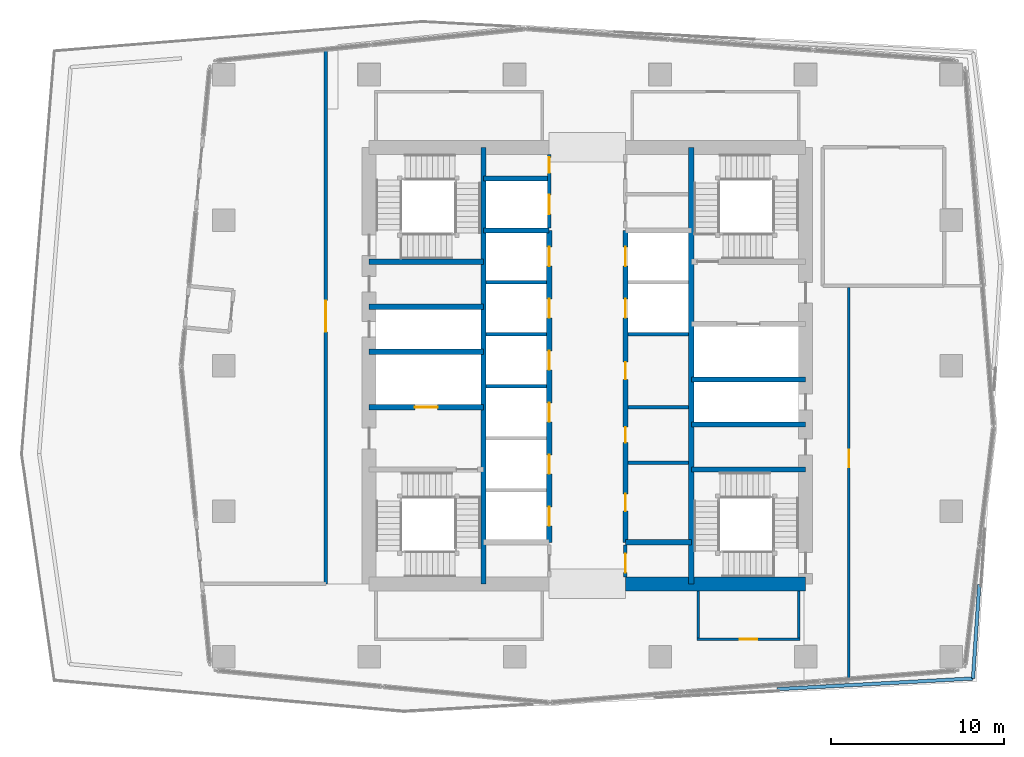
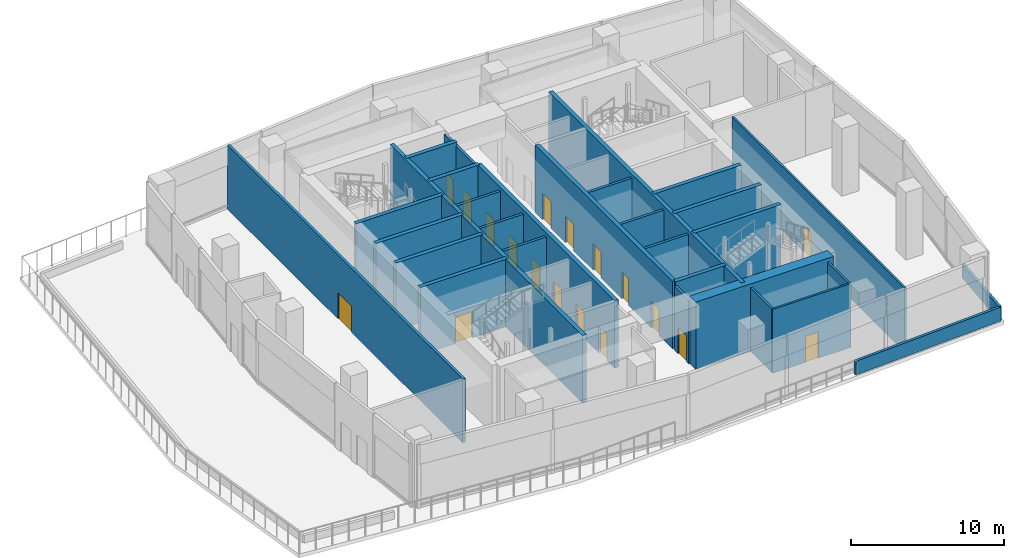
# One storey, part 13 of 22: 30 walls, 18 doors, 18 openings.
"""IFC4 building model written with IfcOpenShell, lengths in metres."""

from ifc_helpers import new_model, si_unit, direction, frame, frame_2d, origin, place, context, subcontext, project, spatial, rectangle, extrude, material, layer, layer_set, type_object, element, fill, save


model = new_model("IFC4")

# Units and contexts
model_context = context("Model", 3, precision=1e-05, world=origin(), true_north=direction((0.0, 1.0)))
body_context = subcontext(model_context, "Body", "Model", "MODEL_VIEW")
ifc_project = project(units=[si_unit("LENGTHUNIT", "METRE"), si_unit("AREAUNIT", "SQUARE_METRE"), si_unit("VOLUMEUNIT", "CUBIC_METRE"), si_unit("PLANEANGLEUNIT", "RADIAN"), si_unit("MASSUNIT", "GRAM", prefix="KILO")], contexts=[model_context])

# Site, building, storey
site_placement = place(None, origin())
site = spatial("IfcSite", under=ifc_project, at=site_placement, CompositionType="ELEMENT")
building_placement = place(site_placement, origin())
building = spatial("IfcBuilding", under=site, at=building_placement, Name="Rekha Terrace Tower", CompositionType="ELEMENT")
storey_placement = place(building_placement, frame((0.0, 0.0, 291.35009765625)))
storey = spatial("IfcBuildingStorey", under=building, at=storey_placement, Name="L74", CompositionType="ELEMENT", Elevation=291.35009765625)

# Walls
ifc_material_1 = material(Name="Concrete M60", Category="concrete")
ifc_layer_1 = layer(ifc_material_1, 0.300048828125)
ifc_layer_set_1 = layer_set([ifc_layer_1], Name="Concrete M60")
wall_type_1 = type_object("IfcWallType", Name="CI5 300 core internal shear wall", PredefinedType="SHEAR", material=ifc_layer_set_1)
for number, where, z_axis, x_axis, name in (
    (1, (31.800048828125, 21.0, 0.0), (0.0, 0.0, 1.0), (0.0, 1.0, 0.0), "Core wall X318 L74"),
    (2, (43.800048828125, 21.0, 0.0), (0.0, 0.0, 1.0), (0.0, 1.0, 0.0), "Core wall X438 L74"),
):
    element("IfcWall", number, at=place(storey_placement, frame(where, z_axis=z_axis, x_axis=x_axis)), inside=storey, type_object=wall_type_1, Name=name, PredefinedType="SHEAR", context=body_context, shape_type="SweptSolid", body=[
        extrude(rectangle(XDim=25.199951171875, YDim=0.300048828125, at=frame_2d((12.60009765625, 0.0))), origin(), (0.0, 0.0, 1.0), 5.39990234375),
    ])

# Wall, openings, doors
wall_1_placement = place(storey_placement, frame((35.60009765625, 23.39990234375, 0.0), z_axis=(0.0, 0.0, 1.0), x_axis=(0.0, 1.0, 0.0)))
wall_1 = element("IfcWall", 3, at=wall_1_placement, inside=storey, type_object=wall_type_1, Name="Core wall X356 L74", PredefinedType="SHEAR", context=body_context, shape_type="SweptSolid", body=[
    extrude(rectangle(XDim=18.0, YDim=0.300048828125, at=frame_2d((9.0, 0.0))), origin(), (0.0, 0.0, 1.0), 5.39990234375),
])
opening_1_placement = place(wall_1_placement, frame((0.949951171875, 0.0, 0.0)))
opening_1 = element("IfcOpeningElement", 4, at=opening_1_placement, cuts=wall_1, Name="Opening LD1", PredefinedType="OPENING", context=body_context, shape_type="SweptSolid", body=[
    extrude(rectangle(XDim=1.10009765625, YDim=2.10009765625, at=frame_2d((0.550048828125, 1.050048828125))), frame((0.0, 0.159912109375, 0.0), z_axis=(0.0, -1.0, 0.0), x_axis=(1.0, 0.0, 0.0)), (0.0, 0.0, 1.0), 0.320068359375),
])
opening_2_placement = place(wall_1_placement, frame((3.949951171875, 0.0, 0.0)))
opening_2 = element("IfcOpeningElement", 5, at=opening_2_placement, cuts=wall_1, Name="Opening LD1", PredefinedType="OPENING", context=body_context, shape_type="SweptSolid", body=[
    extrude(rectangle(XDim=1.10009765625, YDim=2.10009765625, at=frame_2d((0.550048828125, 1.050048828125))), frame((0.0, 0.159912109375, 0.0), z_axis=(0.0, -1.0, 0.0), x_axis=(1.0, 0.0, 0.0)), (0.0, 0.0, 1.0), 0.320068359375),
])
opening_3_placement = place(wall_1_placement, frame((6.949951171875, 0.0, 0.0)))
opening_3 = element("IfcOpeningElement", 6, at=opening_3_placement, cuts=wall_1, Name="Opening LD1", PredefinedType="OPENING", context=body_context, shape_type="SweptSolid", body=[
    extrude(rectangle(XDim=1.10009765625, YDim=2.10009765625, at=frame_2d((0.550048828125, 1.050048828125))), frame((0.0, 0.159912109375, 0.0), z_axis=(0.0, -1.0, 0.0), x_axis=(1.0, 0.0, 0.0)), (0.0, 0.0, 1.0), 0.320068359375),
])
opening_4_placement = place(wall_1_placement, frame((9.949951171875, 0.0, 0.0)))
opening_4 = element("IfcOpeningElement", 7, at=opening_4_placement, cuts=wall_1, Name="Opening LD1", PredefinedType="OPENING", context=body_context, shape_type="SweptSolid", body=[
    extrude(rectangle(XDim=1.10009765625, YDim=2.10009765625, at=frame_2d((0.550048828125, 1.050048828125))), frame((0.0, 0.159912109375, 0.0), z_axis=(0.0, -1.0, 0.0), x_axis=(1.0, 0.0, 0.0)), (0.0, 0.0, 1.0), 0.320068359375),
])
opening_5_placement = place(wall_1_placement, frame((12.949951171875, 0.0, 0.0)))
opening_5 = element("IfcOpeningElement", 8, at=opening_5_placement, cuts=wall_1, Name="Opening LD1", PredefinedType="OPENING", context=body_context, shape_type="SweptSolid", body=[
    extrude(rectangle(XDim=1.10009765625, YDim=2.10009765625, at=frame_2d((0.550048828125, 1.050048828125))), frame((0.0, 0.159912109375, 0.0), z_axis=(0.0, -1.0, 0.0), x_axis=(1.0, 0.0, 0.0)), (0.0, 0.0, 1.0), 0.320068359375),
])
opening_6_placement = place(wall_1_placement, frame((15.949951171875, 0.0, 0.0)))
opening_6 = element("IfcOpeningElement", 9, at=opening_6_placement, cuts=wall_1, Name="Opening LD1", PredefinedType="OPENING", context=body_context, shape_type="SweptSolid", body=[
    extrude(rectangle(XDim=1.10009765625, YDim=2.10009765625, at=frame_2d((0.550048828125, 1.050048828125))), frame((0.0, 0.159912109375, 0.0), z_axis=(0.0, -1.0, 0.0), x_axis=(1.0, 0.0, 0.0)), (0.0, 0.0, 1.0), 0.320068359375),
])
ifc_material_2 = material(Name="Stainless steel sliding landing door", Category="steel")
door_type_1 = type_object("IfcDoorType", Name="LD1 1100x2100 lift landing door", OperationType="SLIDING_TO_LEFT", PredefinedType="USERDEFINED", material=ifc_material_2)
door_1_placement = place(opening_1_placement, origin())
door_1 = element("IfcDoor", 10, at=door_1_placement, inside=storey, type_object=door_type_1, Name="Lift D1 landing door L74", ObjectType="LIFT LANDING DOOR", OperationType="SLIDING_TO_LEFT", OverallHeight=2.10009765625, OverallWidth=1.10009765625, PredefinedType="USERDEFINED", context=body_context, shape_type="SweptSolid", body=[
    extrude(rectangle(XDim=1.10009765625, YDim=2.10009765625, at=frame_2d((0.550048828125, 1.050048828125))), frame((0.0, 0.02490234375, 0.0), z_axis=(0.0, -1.0, 0.0), x_axis=(1.0, 0.0, 0.0)), (0.0, 0.0, 1.0), 0.050048828125),
])
fill(opening_1, door_1)
door_2_placement = place(opening_2_placement, origin())
door_2 = element("IfcDoor", 11, at=door_2_placement, inside=storey, type_object=door_type_1, Name="Lift D2 landing door L74", ObjectType="LIFT LANDING DOOR", OperationType="SLIDING_TO_LEFT", OverallHeight=2.10009765625, OverallWidth=1.10009765625, PredefinedType="USERDEFINED", context=body_context, shape_type="SweptSolid", body=[
    extrude(rectangle(XDim=1.10009765625, YDim=2.10009765625, at=frame_2d((0.550048828125, 1.050048828125))), frame((0.0, 0.02490234375, 0.0), z_axis=(0.0, -1.0, 0.0), x_axis=(1.0, 0.0, 0.0)), (0.0, 0.0, 1.0), 0.050048828125),
])
fill(opening_2, door_2)
door_3_placement = place(opening_3_placement, origin())
door_3 = element("IfcDoor", 12, at=door_3_placement, inside=storey, type_object=door_type_1, Name="Lift D3 landing door L74", ObjectType="LIFT LANDING DOOR", OperationType="SLIDING_TO_LEFT", OverallHeight=2.10009765625, OverallWidth=1.10009765625, PredefinedType="USERDEFINED", context=body_context, shape_type="SweptSolid", body=[
    extrude(rectangle(XDim=1.10009765625, YDim=2.10009765625, at=frame_2d((0.550048828125, 1.050048828125))), frame((0.0, 0.02490234375, 0.0), z_axis=(0.0, -1.0, 0.0), x_axis=(1.0, 0.0, 0.0)), (0.0, 0.0, 1.0), 0.050048828125),
])
fill(opening_3, door_3)
door_4_placement = place(opening_4_placement, origin())
door_4 = element("IfcDoor", 13, at=door_4_placement, inside=storey, type_object=door_type_1, Name="Lift D4 landing door L74", ObjectType="LIFT LANDING DOOR", OperationType="SLIDING_TO_LEFT", OverallHeight=2.10009765625, OverallWidth=1.10009765625, PredefinedType="USERDEFINED", context=body_context, shape_type="SweptSolid", body=[
    extrude(rectangle(XDim=1.10009765625, YDim=2.10009765625, at=frame_2d((0.550048828125, 1.050048828125))), frame((0.0, 0.02490234375, 0.0), z_axis=(0.0, -1.0, 0.0), x_axis=(1.0, 0.0, 0.0)), (0.0, 0.0, 1.0), 0.050048828125),
])
fill(opening_4, door_4)
door_5_placement = place(opening_5_placement, origin())
door_5 = element("IfcDoor", 14, at=door_5_placement, inside=storey, type_object=door_type_1, Name="Lift D5 landing door L74", ObjectType="LIFT LANDING DOOR", OperationType="SLIDING_TO_LEFT", OverallHeight=2.10009765625, OverallWidth=1.10009765625, PredefinedType="USERDEFINED", context=body_context, shape_type="SweptSolid", body=[
    extrude(rectangle(XDim=1.10009765625, YDim=2.10009765625, at=frame_2d((0.550048828125, 1.050048828125))), frame((0.0, 0.02490234375, 0.0), z_axis=(0.0, -1.0, 0.0), x_axis=(1.0, 0.0, 0.0)), (0.0, 0.0, 1.0), 0.050048828125),
])
fill(opening_5, door_5)
door_6_placement = place(opening_6_placement, origin())
door_6 = element("IfcDoor", 15, at=door_6_placement, inside=storey, type_object=door_type_1, Name="Lift D6 landing door L74", ObjectType="LIFT LANDING DOOR", OperationType="SLIDING_TO_LEFT", OverallHeight=2.10009765625, OverallWidth=1.10009765625, PredefinedType="USERDEFINED", context=body_context, shape_type="SweptSolid", body=[
    extrude(rectangle(XDim=1.10009765625, YDim=2.10009765625, at=frame_2d((0.550048828125, 1.050048828125))), frame((0.0, 0.02490234375, 0.0), z_axis=(0.0, -1.0, 0.0), x_axis=(1.0, 0.0, 0.0)), (0.0, 0.0, 1.0), 0.050048828125),
])
fill(opening_6, door_6)

wall_2_placement = place(storey_placement, frame((40.0, 23.39990234375, 0.0), z_axis=(0.0, 0.0, 1.0), x_axis=(0.0, 1.0, 0.0)))
wall_2 = element("IfcWall", 16, at=wall_2_placement, inside=storey, type_object=wall_type_1, Name="Core wall X400 L74", PredefinedType="SHEAR", context=body_context, shape_type="SweptSolid", body=[
    extrude(rectangle(XDim=18.0, YDim=0.300048828125, at=frame_2d((9.0, 0.0))), origin(), (0.0, 0.0, 1.0), 5.39990234375),
])
opening_7_placement = place(wall_2_placement, frame((1.800048828125, 0.0, 0.0)))
opening_7 = element("IfcOpeningElement", 17, at=opening_7_placement, cuts=wall_2, Name="Opening D3", PredefinedType="OPENING", context=body_context, shape_type="SweptSolid", body=[
    extrude(rectangle(XDim=1.0, YDim=2.10009765625, at=frame_2d((0.5, 1.050048828125))), frame((0.0, 0.159912109375, 0.0), z_axis=(0.0, -1.0, 0.0), x_axis=(1.0, 0.0, 0.0)), (0.0, 0.0, 1.0), 0.320068359375),
])
opening_8_placement = place(wall_2_placement, frame((5.75, 0.0, 0.0)))
opening_8 = element("IfcOpeningElement", 18, at=opening_8_placement, cuts=wall_2, Name="Opening D5", PredefinedType="OPENING", context=body_context, shape_type="SweptSolid", body=[
    extrude(rectangle(XDim=0.89990234375, YDim=2.10009765625, at=frame_2d((0.449951171875, 1.050048828125))), frame((0.0, 0.159912109375, 0.0), z_axis=(0.0, -1.0, 0.0), x_axis=(1.0, 0.0, 0.0)), (0.0, 0.0, 1.0), 0.320068359375),
])
opening_9_placement = place(wall_2_placement, frame((9.39990234375, 0.0, 0.0)))
opening_9 = element("IfcOpeningElement", 19, at=opening_9_placement, cuts=wall_2, Name="Opening D3", PredefinedType="OPENING", context=body_context, shape_type="SweptSolid", body=[
    extrude(rectangle(XDim=1.0, YDim=2.10009765625, at=frame_2d((0.5, 1.050048828125))), frame((0.0, 0.159912109375, 0.0), z_axis=(0.0, -1.0, 0.0), x_axis=(1.0, 0.0, 0.0)), (0.0, 0.0, 1.0), 0.320068359375),
])
opening_10_placement = place(wall_2_placement, frame((12.949951171875, 0.0, 0.0)))
opening_10 = element("IfcOpeningElement", 20, at=opening_10_placement, cuts=wall_2, Name="Opening LD1", PredefinedType="OPENING", context=body_context, shape_type="SweptSolid", body=[
    extrude(rectangle(XDim=1.10009765625, YDim=2.10009765625, at=frame_2d((0.550048828125, 1.050048828125))), frame((0.0, 0.159912109375, 0.0), z_axis=(0.0, -1.0, 0.0), x_axis=(1.0, 0.0, 0.0)), (0.0, 0.0, 1.0), 0.320068359375),
])
opening_11_placement = place(wall_2_placement, frame((15.949951171875, 0.0, 0.0)))
opening_11 = element("IfcOpeningElement", 21, at=opening_11_placement, cuts=wall_2, Name="Opening LD1", PredefinedType="OPENING", context=body_context, shape_type="SweptSolid", body=[
    extrude(rectangle(XDim=1.10009765625, YDim=2.10009765625, at=frame_2d((0.550048828125, 1.050048828125))), frame((0.0, 0.159912109375, 0.0), z_axis=(0.0, -1.0, 0.0), x_axis=(1.0, 0.0, 0.0)), (0.0, 0.0, 1.0), 0.320068359375),
])
ifc_material_3 = material(Name="Laminated timber fire door", Category="wood")
door_type_2 = type_object("IfcDoorType", Name="D3 1000x2100 WC door", OperationType="SINGLE_SWING_LEFT", PredefinedType="DOOR", material=ifc_material_3)
door_7_placement = place(opening_7_placement, origin())
door_7 = element("IfcDoor", 22, at=door_7_placement, inside=storey, type_object=door_type_2, Name="Door staff wc L74", OperationType="SINGLE_SWING_LEFT", OverallHeight=2.10009765625, OverallWidth=1.0, PredefinedType="DOOR", context=body_context, shape_type="SweptSolid", body=[
    extrude(rectangle(XDim=1.0, YDim=2.10009765625, at=frame_2d((0.5, 1.050048828125))), frame((0.0, 0.02490234375, 0.0), z_axis=(0.0, -1.0, 0.0), x_axis=(1.0, 0.0, 0.0)), (0.0, 0.0, 1.0), 0.050048828125),
])
fill(opening_7, door_7)
door_8_placement = place(opening_9_placement, origin())
door_8 = element("IfcDoor", 23, at=door_8_placement, inside=storey, type_object=door_type_2, Name="Door staff wc L74", OperationType="SINGLE_SWING_LEFT", OverallHeight=2.10009765625, OverallWidth=1.0, PredefinedType="DOOR", context=body_context, shape_type="SweptSolid", body=[
    extrude(rectangle(XDim=1.0, YDim=2.10009765625, at=frame_2d((0.5, 1.050048828125))), frame((0.0, 0.02490234375, 0.0), z_axis=(0.0, -1.0, 0.0), x_axis=(1.0, 0.0, 0.0)), (0.0, 0.0, 1.0), 0.050048828125),
])
fill(opening_9, door_8)
ifc_material_4 = material(Name="Steel fire door", Category="steel")
door_type_3 = type_object("IfcDoorType", Name="D5 900x2100 riser access door", OperationType="SINGLE_SWING_LEFT", PredefinedType="DOOR", material=ifc_material_4)
door_9_placement = place(opening_8_placement, origin())
door_9 = element("IfcDoor", 24, at=door_9_placement, inside=storey, type_object=door_type_3, Name="Door records store L74", OperationType="SINGLE_SWING_LEFT", OverallHeight=2.10009765625, OverallWidth=0.89990234375, PredefinedType="DOOR", context=body_context, shape_type="SweptSolid", body=[
    extrude(rectangle(XDim=0.89990234375, YDim=2.10009765625, at=frame_2d((0.449951171875, 1.050048828125))), frame((0.0, 0.02490234375, 0.0), z_axis=(0.0, -1.0, 0.0), x_axis=(1.0, 0.0, 0.0)), (0.0, 0.0, 1.0), 0.050048828125),
])
fill(opening_8, door_9)
door_10_placement = place(opening_10_placement, origin())
door_10 = element("IfcDoor", 25, at=door_10_placement, inside=storey, type_object=door_type_1, Name="Lift SH5 landing door L74", ObjectType="LIFT LANDING DOOR", OperationType="SLIDING_TO_LEFT", OverallHeight=2.10009765625, OverallWidth=1.10009765625, PredefinedType="USERDEFINED", context=body_context, shape_type="SweptSolid", body=[
    extrude(rectangle(XDim=1.10009765625, YDim=2.10009765625, at=frame_2d((0.550048828125, 1.050048828125))), frame((0.0, 0.02490234375, 0.0), z_axis=(0.0, -1.0, 0.0), x_axis=(1.0, 0.0, 0.0)), (0.0, 0.0, 1.0), 0.050048828125),
])
fill(opening_10, door_10)
door_11_placement = place(opening_11_placement, origin())
door_11 = element("IfcDoor", 26, at=door_11_placement, inside=storey, type_object=door_type_1, Name="Lift SH6 landing door L74", ObjectType="LIFT LANDING DOOR", OperationType="SLIDING_TO_LEFT", OverallHeight=2.10009765625, OverallWidth=1.10009765625, PredefinedType="USERDEFINED", context=body_context, shape_type="SweptSolid", body=[
    extrude(rectangle(XDim=1.10009765625, YDim=2.10009765625, at=frame_2d((0.550048828125, 1.050048828125))), frame((0.0, 0.02490234375, 0.0), z_axis=(0.0, -1.0, 0.0), x_axis=(1.0, 0.0, 0.0)), (0.0, 0.0, 1.0), 0.050048828125),
])
fill(opening_11, door_11)

# Walls
for number, where, z_axis, x_axis, name in (
    (27, (31.800048828125, 41.39990234375, 0.0), (0.0, 0.0, 1.0), (1.0, 0.0, 0.0), "Core wall Y414W L74"),
    (28, (31.800048828125, 44.39990234375, 0.0), (0.0, 0.0, 1.0), (1.0, 0.0, 0.0), "Core wall Y444W L74"),
    (29, (40.0, 23.39990234375, 0.0), (0.0, 0.0, 1.0), (1.0, 0.0, 0.0), "Core wall Y234E L74"),
):
    element("IfcWall", number, at=place(storey_placement, frame(where, z_axis=z_axis, x_axis=x_axis)), inside=storey, type_object=wall_type_1, Name=name, PredefinedType="SHEAR", context=body_context, shape_type="SweptSolid", body=[
        extrude(rectangle(XDim=3.800048828125, YDim=0.300048828125, at=frame_2d((1.89990234375, 0.0))), origin(), (0.0, 0.0, 1.0), 5.39990234375),
    ])

# Wall, opening, door
wall_3_placement = place(storey_placement, frame((25.199951171875, 31.199951171875, 0.0), z_axis=(0.0, 0.0, 1.0), x_axis=(1.0, 0.0, 0.0)))
wall_3 = element("IfcWall", 30, at=wall_3_placement, inside=storey, type_object=wall_type_1, Name="Core wall Y312W L74", PredefinedType="SHEAR", context=body_context, shape_type="SweptSolid", body=[
    extrude(rectangle(XDim=6.60009765625, YDim=0.300048828125, at=frame_2d((3.300048828125, 0.0))), origin(), (0.0, 0.0, 1.0), 5.39990234375),
])
opening_12_placement = place(wall_3_placement, frame((2.64990234375, 0.0, 0.0)))
opening_12 = element("IfcOpeningElement", 31, at=opening_12_placement, cuts=wall_3, Name="Opening LD2", PredefinedType="OPENING", context=body_context, shape_type="SweptSolid", body=[
    extrude(rectangle(XDim=1.300048828125, YDim=2.10009765625, at=frame_2d((0.64990234375, 1.050048828125))), frame((0.0, 0.159912109375, 0.0), z_axis=(0.0, -1.0, 0.0), x_axis=(1.0, 0.0, 0.0)), (0.0, 0.0, 1.0), 0.320068359375),
])
door_type_4 = type_object("IfcDoorType", Name="LD2 1300x2100 fire lift landing door", OperationType="SLIDING_TO_LEFT", PredefinedType="USERDEFINED", material=ifc_material_2)
door_12_placement = place(opening_12_placement, origin())
door_12 = element("IfcDoor", 32, at=door_12_placement, inside=storey, type_object=door_type_4, Name="Lift FL1 landing door L74", ObjectType="LIFT LANDING DOOR", OperationType="SLIDING_TO_LEFT", OverallHeight=2.10009765625, OverallWidth=1.300048828125, PredefinedType="USERDEFINED", context=body_context, shape_type="SweptSolid", body=[
    extrude(rectangle(XDim=1.300048828125, YDim=2.10009765625, at=frame_2d((0.64990234375, 1.050048828125))), frame((0.0, 0.02490234375, 0.0), z_axis=(0.0, -1.0, 0.0), x_axis=(1.0, 0.0, 0.0)), (0.0, 0.0, 1.0), 0.050048828125),
])
fill(opening_12, door_12)

# Walls
for number, where, z_axis, x_axis, name in (
    (33, (25.199951171875, 34.39990234375, 0.0), (0.0, 0.0, 1.0), (1.0, 0.0, 0.0), "Core wall Y344W L74"),
    (34, (25.199951171875, 37.0, 0.0), (0.0, 0.0, 1.0), (1.0, 0.0, 0.0), "Core wall Y370W L74"),
    (35, (25.199951171875, 39.60009765625, 0.0), (0.0, 0.0, 1.0), (1.0, 0.0, 0.0), "Core wall Y396W L74"),
):
    element("IfcWall", number, at=place(storey_placement, frame(where, z_axis=z_axis, x_axis=x_axis)), inside=storey, type_object=wall_type_1, Name=name, PredefinedType="SHEAR", context=body_context, shape_type="SweptSolid", body=[
        extrude(rectangle(XDim=6.60009765625, YDim=0.300048828125, at=frame_2d((3.300048828125, 0.0))), origin(), (0.0, 0.0, 1.0), 5.39990234375),
    ])
for number, where, z_axis, x_axis, name in (
    (36, (43.800048828125, 27.60009765625, 0.0), (0.0, 0.0, 1.0), (1.0, 0.0, 0.0), "Core wall Y276E L74"),
    (37, (43.800048828125, 30.199951171875, 0.0), (0.0, 0.0, 1.0), (1.0, 0.0, 0.0), "Core wall Y302E L74"),
    (38, (43.800048828125, 32.800048828125, 0.0), (0.0, 0.0, 1.0), (1.0, 0.0, 0.0), "Core wall Y328E L74"),
):
    element("IfcWall", number, at=place(storey_placement, frame(where, z_axis=z_axis, x_axis=x_axis)), inside=storey, type_object=wall_type_1, Name=name, PredefinedType="SHEAR", context=body_context, shape_type="SweptSolid", body=[
        extrude(rectangle(XDim=6.599853515625, YDim=0.300048828125, at=frame_2d((3.2998046875, 0.0))), origin(), (0.0, 0.0, 1.0), 5.39990234375),
    ])
ifc_material_5 = material(Name="Concrete M40", Category="concrete")
ifc_layer_2 = layer(ifc_material_5, 0.199951171875)
ifc_layer_set_2 = layer_set([ifc_layer_2], Name="Concrete M40")
wall_type_2 = type_object("IfcWallType", Name="PP1 parapet wall 200", PredefinedType="PARAPET", material=ifc_layer_set_2)
wall_4_placement = place(storey_placement, frame((48.737060546875, 14.923095703125, 0.0), z_axis=(0.0, 0.0, 1.0), x_axis=(0.998519515353, 0.054394645497, 0.0)))
element("IfcWall", 39, at=wall_4_placement, inside=storey, type_object=wall_type_2, Name="Ledge parapet", PredefinedType="PARAPET", context=body_context, shape_type="SweptSolid", body=[
    extrude(rectangle(XDim=11.342041015625, YDim=0.199951171875, at=frame_2d((5.6708984375, 0.0))), origin(), (0.0, 0.0, 1.0), 1.099853515625),
])
wall_5_placement = place(storey_placement, frame((60.062255859375, 15.5400390625, 0.0), z_axis=(0.0, 0.0, 1.0), x_axis=(0.066256467733, 0.997802626016, 0.0)))
element("IfcWall", 40, at=wall_5_placement, inside=storey, type_object=wall_type_2, Name="Ledge parapet", PredefinedType="PARAPET", context=body_context, shape_type="SweptSolid", body=[
    extrude(rectangle(XDim=5.431396484375, YDim=0.199951171875, at=frame_2d((2.7158203125, 0.0))), origin(), (0.0, 0.0, 1.0), 1.099853515625),
])
ifc_layer_3 = layer(ifc_material_1, 0.800048828125)
ifc_layer_set_3 = layer_set([ifc_layer_3], Name="Concrete M60")
wall_type_3 = type_object("IfcWallType", Name="SW5 800 core outer shear wall", PredefinedType="SHEAR", material=ifc_layer_set_3)
wall_6_placement = place(storey_placement, frame((40.0, 21.0, 0.0), z_axis=(0.0, 0.0, 1.0), x_axis=(1.0, 0.0, 0.0)))
element("IfcWall", 41, at=wall_6_placement, inside=storey, type_object=wall_type_3, Name="Core wall S2 L74", PredefinedType="SHEAR", context=body_context, shape_type="SweptSolid", body=[
    extrude(rectangle(XDim=10.39990234375, YDim=0.800048828125, at=frame_2d((5.199951171875, 0.0))), origin(), (0.0, 0.0, 1.0), 5.39990234375),
])

# Wall, opening, door
ifc_material_6 = material(Name="Solid concrete block masonry, 2 hour", Category="masonry")
ifc_layer_4 = layer(ifc_material_6, 0.199951171875)
ifc_layer_set_4 = layer_set([ifc_layer_4], Name="Solid concrete block masonry, 2 hour")
wall_type_4 = type_object("IfcWallType", Name="WP1 200 plant room wall", PredefinedType="PARTITIONING", material=ifc_layer_set_4)
wall_7_placement = place(storey_placement, frame((22.699951171875, 51.8349609375, 0.0), z_axis=(0.0, 0.0, 1.0), x_axis=(0.0, -1.0, 0.0)))
wall_7 = element("IfcWall", 42, at=wall_7_placement, inside=storey, type_object=wall_type_4, Name="Partition L74-04", PredefinedType="PARTITIONING", context=body_context, shape_type="SweptSolid", body=[
    extrude(rectangle(XDim=30.8349609375, YDim=0.199951171875, at=frame_2d((15.41748046875, 0.0))), origin(), (0.0, 0.0, 1.0), 5.099853515625),
])
opening_13_placement = place(wall_7_placement, frame((14.48193359375, 0.0, 0.0)))
opening_13 = element("IfcOpeningElement", 43, at=opening_13_placement, cuts=wall_7, Name="Opening D8", PredefinedType="OPENING", context=body_context, shape_type="SweptSolid", body=[
    extrude(rectangle(XDim=1.800048828125, YDim=2.10009765625, at=frame_2d((0.89990234375, 1.050048828125))), frame((0.0, 0.10986328125, 0.0), z_axis=(0.0, -1.0, 0.0), x_axis=(1.0, 0.0, 0.0)), (0.0, 0.0, 1.0), 0.219970703125),
])
ifc_material_7 = material(Name="Timber fire door", Category="wood")
door_type_5 = type_object("IfcDoorType", Name="D8 1800x2100 double leaf door", OperationType="DOUBLE_DOOR_SINGLE_SWING", PredefinedType="DOOR", material=ifc_material_7)
door_13_placement = place(opening_13_placement, origin())
door_13 = element("IfcDoor", 44, at=door_13_placement, inside=storey, type_object=door_type_5, Name="Door exhibition store L74", OperationType="DOUBLE_DOOR_SINGLE_SWING", OverallHeight=2.10009765625, OverallWidth=1.800048828125, PredefinedType="DOOR", context=body_context, shape_type="SweptSolid", body=[
    extrude(rectangle(XDim=1.800048828125, YDim=2.10009765625, at=frame_2d((0.89990234375, 1.050048828125))), frame((0.0, 0.02490234375, 0.0), z_axis=(0.0, -1.0, 0.0), x_axis=(1.0, 0.0, 0.0)), (0.0, 0.0, 1.0), 0.050048828125),
])
fill(opening_13, door_13)

ifc_material_8 = material(Name="Concrete block masonry, 1 hour", Category="masonry")
ifc_layer_5 = layer(ifc_material_8, 0.14990234375)
ifc_layer_set_5 = layer_set([ifc_layer_5], Name="Concrete block masonry, 1 hour")
wall_type_5 = type_object("IfcWallType", Name="WP2 150 tenancy partition", PredefinedType="PARTITIONING", material=ifc_layer_set_5)
wall_8_placement = place(storey_placement, frame((44.125, 17.800048828125, 0.0), z_axis=(0.0, 0.0, 1.0), x_axis=(1.0, 0.0, 0.0)))
wall_8 = element("IfcWall", 45, at=wall_8_placement, inside=storey, type_object=wall_type_5, Name="Men's WC wall L74", PredefinedType="PARTITIONING", context=body_context, shape_type="SweptSolid", body=[
    extrude(rectangle(XDim=5.949951171875, YDim=0.14990234375, at=frame_2d((2.97509765625, 0.0))), origin(), (0.0, 0.0, 1.0), 5.099853515625),
])
opening_14_placement = place(wall_8_placement, frame((2.47509765625, 0.0, 0.0)))
opening_14 = element("IfcOpeningElement", 46, at=opening_14_placement, cuts=wall_8, Name="Opening D3", PredefinedType="OPENING", context=body_context, shape_type="SweptSolid", body=[
    extrude(rectangle(XDim=1.0, YDim=2.10009765625, at=frame_2d((0.5, 1.050048828125))), frame((0.0, 0.0849609375, 0.0), z_axis=(0.0, -1.0, 0.0), x_axis=(1.0, 0.0, 0.0)), (0.0, 0.0, 1.0), 0.169921875),
])
door_14_placement = place(opening_14_placement, origin())
door_14 = element("IfcDoor", 47, at=door_14_placement, inside=storey, type_object=door_type_2, Name="Door men's wc L74", OperationType="SINGLE_SWING_LEFT", OverallHeight=2.10009765625, OverallWidth=1.0, PredefinedType="DOOR", context=body_context, shape_type="SweptSolid", body=[
    extrude(rectangle(XDim=1.0, YDim=2.10009765625, at=frame_2d((0.5, 1.050048828125))), frame((0.0, 0.02490234375, 0.0), z_axis=(0.0, -1.0, 0.0), x_axis=(1.0, 0.0, 0.0)), (0.0, 0.0, 1.0), 0.050048828125),
])
fill(opening_14, door_14)

# Walls
for number, where, z_axis, x_axis, name in (
    (48, (44.199951171875, 17.875, 0.0), (0.0, 0.0, 1.0), (0.0, 1.0, 0.0), "Men's WC wall L74"),
    (49, (50.0, 17.875, 0.0), (0.0, 0.0, 1.0), (0.0, 1.0, 0.0), "Men's WC wall L74"),
):
    element("IfcWall", number, at=place(storey_placement, frame(where, z_axis=z_axis, x_axis=x_axis)), inside=storey, type_object=wall_type_5, Name=name, PredefinedType="PARTITIONING", context=body_context, shape_type="SweptSolid", body=[
        extrude(rectangle(XDim=2.72509765625, YDim=0.14990234375, at=frame_2d((1.362548828125, 0.0))), origin(), (0.0, 0.0, 1.0), 5.099853515625),
    ])

# Wall, opening, door
wall_9_placement = place(storey_placement, frame((52.89990234375, 15.531982421875, 0.0), z_axis=(0.0, 0.0, 1.0), x_axis=(0.0, 1.0, 0.0)))
wall_9 = element("IfcWall", 50, at=wall_9_placement, inside=storey, type_object=wall_type_5, Name="Partition L74-05", PredefinedType="PARTITIONING", context=body_context, shape_type="SweptSolid", body=[
    extrude(rectangle(XDim=22.568115234375, YDim=0.14990234375, at=frame_2d((11.2841796875, 0.0))), origin(), (0.0, 0.0, 1.0), 5.099853515625),
])
opening_15_placement = place(wall_9_placement, frame((12.198974609375, 0.0, 0.0)))
opening_15 = element("IfcOpeningElement", 51, at=opening_15_placement, cuts=wall_9, Name="Opening D9", PredefinedType="OPENING", context=body_context, shape_type="SweptSolid", body=[
    extrude(rectangle(XDim=1.0, YDim=2.10009765625, at=frame_2d((0.5, 1.050048828125))), frame((0.0, 0.0849609375, 0.0), z_axis=(0.0, -1.0, 0.0), x_axis=(1.0, 0.0, 0.0)), (0.0, 0.0, 1.0), 0.169921875),
])
door_type_6 = type_object("IfcDoorType", Name="D9 1000x2100 office door", OperationType="SINGLE_SWING_LEFT", PredefinedType="DOOR", material=ifc_material_7)
door_15_placement = place(opening_15_placement, origin())
door_15 = element("IfcDoor", 52, at=door_15_placement, inside=storey, type_object=door_type_6, Name="Door building management room L74", OperationType="SINGLE_SWING_LEFT", OverallHeight=2.10009765625, OverallWidth=1.0, PredefinedType="DOOR", context=body_context, shape_type="SweptSolid", body=[
    extrude(rectangle(XDim=1.0, YDim=2.10009765625, at=frame_2d((0.5, 1.050048828125))), frame((0.0, 0.02490234375, 0.0), z_axis=(0.0, -1.0, 0.0), x_axis=(1.0, 0.0, 0.0)), (0.0, 0.0, 1.0), 0.050048828125),
])
fill(opening_15, door_15)

# Walls
ifc_layer_6 = layer(ifc_material_6, 0.199951171875)
ifc_layer_set_6 = layer_set([ifc_layer_6], Name="Solid concrete block masonry, 2 hour")
wall_type_6 = type_object("IfcWallType", Name="WS1 200 stair and shaft enclosure", PredefinedType="PARTITIONING", material=ifc_layer_set_6)
for number, where, z_axis, x_axis, name in (
    (53, (31.949951171875, 32.39990234375, 0.0), (0.0, 0.0, 1.0), (1.0, 0.0, 0.0), "Lift shaft divider L74"),
    (54, (31.949951171875, 35.39990234375, 0.0), (0.0, 0.0, 1.0), (1.0, 0.0, 0.0), "Lift shaft divider L74"),
    (55, (31.949951171875, 38.39990234375, 0.0), (0.0, 0.0, 1.0), (1.0, 0.0, 0.0), "Lift shaft divider L74"),
    (56, (40.14990234375, 35.39990234375, 0.0), (0.0, 0.0, 1.0), (1.0, 0.0, 0.0), "Lift shaft divider L74"),
):
    element("IfcWall", number, at=place(storey_placement, frame(where, z_axis=z_axis, x_axis=x_axis)), inside=storey, type_object=wall_type_6, Name=name, PredefinedType="PARTITIONING", context=body_context, shape_type="SweptSolid", body=[
        extrude(rectangle(XDim=3.5, YDim=0.199951171875, at=frame_2d((1.75, 0.0))), origin(), (0.0, 0.0, 1.0), 5.099853515625),
    ])

# Wall, opening, door
wall_10_placement = place(storey_placement, frame((40.0, 21.39990234375, 0.0), z_axis=(0.0, 0.0, 1.0), x_axis=(0.0, 1.0, 0.0)))
wall_10 = element("IfcWall", 57, at=wall_10_placement, inside=storey, type_object=wall_type_6, Name="Core partition wca L74", PredefinedType="PARTITIONING", context=body_context, shape_type="SweptSolid", body=[
    extrude(rectangle(XDim=1.85009765625, YDim=0.199951171875, at=frame_2d((0.925048828125, 0.0))), origin(), (0.0, 0.0, 1.0), 5.099853515625),
])
opening_16_placement = place(wall_10_placement, frame((0.25, 0.0, 0.0)))
opening_16 = element("IfcOpeningElement", 58, at=opening_16_placement, cuts=wall_10, Name="Opening D4", PredefinedType="OPENING", context=body_context, shape_type="SweptSolid", body=[
    extrude(rectangle(XDim=1.10009765625, YDim=2.10009765625, at=frame_2d((0.550048828125, 1.050048828125))), frame((0.0, 0.10986328125, 0.0), z_axis=(0.0, -1.0, 0.0), x_axis=(1.0, 0.0, 0.0)), (0.0, 0.0, 1.0), 0.219970703125),
])
door_type_7 = type_object("IfcDoorType", Name="D4 1100x2100 accessible WC door", OperationType="SLIDING_TO_LEFT", PredefinedType="DOOR", material=ifc_material_3)
door_16_placement = place(opening_16_placement, origin())
door_16 = element("IfcDoor", 59, at=door_16_placement, inside=storey, type_object=door_type_7, Name="Door wca L74", OperationType="SLIDING_TO_LEFT", OverallHeight=2.10009765625, OverallWidth=1.10009765625, PredefinedType="DOOR", context=body_context, shape_type="SweptSolid", body=[
    extrude(rectangle(XDim=1.10009765625, YDim=2.10009765625, at=frame_2d((0.550048828125, 1.050048828125))), frame((0.0, 0.02490234375, 0.0), z_axis=(0.0, -1.0, 0.0), x_axis=(1.0, 0.0, 0.0)), (0.0, 0.0, 1.0), 0.050048828125),
])
fill(opening_16, door_16)

# Wall, openings, doors
wall_11_placement = place(storey_placement, frame((35.60009765625, 41.550048828125, 0.0), z_axis=(0.0, 0.0, 1.0), x_axis=(0.0, 1.0, 0.0)))
wall_11 = element("IfcWall", 60, at=wall_11_placement, inside=storey, type_object=wall_type_6, Name="Core partition jansv L74", PredefinedType="PARTITIONING", context=body_context, shape_type="SweptSolid", body=[
    extrude(rectangle(XDim=4.25, YDim=0.199951171875, at=frame_2d((2.125, 0.0))), origin(), (0.0, 0.0, 1.0), 5.099853515625),
])
opening_17_placement = place(wall_11_placement, frame((3.175048828125, 0.0, 0.0)))
opening_17 = element("IfcOpeningElement", 61, at=opening_17_placement, cuts=wall_11, Name="Opening D5", PredefinedType="OPENING", context=body_context, shape_type="SweptSolid", body=[
    extrude(rectangle(XDim=0.89990234375, YDim=2.10009765625, at=frame_2d((0.449951171875, 1.050048828125))), frame((0.0, 0.10986328125, 0.0), z_axis=(0.0, -1.0, 0.0), x_axis=(1.0, 0.0, 0.0)), (0.0, 0.0, 1.0), 0.219970703125),
])
opening_18_placement = place(wall_11_placement, frame((0.800048828125, 0.0, 0.0)))
opening_18 = element("IfcOpeningElement", 62, at=opening_18_placement, cuts=wall_11, Name="Opening LD1", PredefinedType="OPENING", context=body_context, shape_type="SweptSolid", body=[
    extrude(rectangle(XDim=1.10009765625, YDim=2.10009765625, at=frame_2d((0.550048828125, 1.050048828125))), frame((0.0, 0.10986328125, 0.0), z_axis=(0.0, -1.0, 0.0), x_axis=(1.0, 0.0, 0.0)), (0.0, 0.0, 1.0), 0.219970703125),
])
door_17_placement = place(opening_17_placement, origin())
door_17 = element("IfcDoor", 63, at=door_17_placement, inside=storey, type_object=door_type_3, Name="Door janitor room L74", OperationType="SINGLE_SWING_LEFT", OverallHeight=2.10009765625, OverallWidth=0.89990234375, PredefinedType="DOOR", context=body_context, shape_type="SweptSolid", body=[
    extrude(rectangle(XDim=0.89990234375, YDim=2.10009765625, at=frame_2d((0.449951171875, 1.050048828125))), frame((0.0, 0.02490234375, 0.0), z_axis=(0.0, -1.0, 0.0), x_axis=(1.0, 0.0, 0.0)), (0.0, 0.0, 1.0), 0.050048828125),
])
fill(opening_17, door_17)
door_18_placement = place(opening_18_placement, origin())
door_18 = element("IfcDoor", 64, at=door_18_placement, inside=storey, type_object=door_type_1, Name="Lift SV1 landing door L74", ObjectType="LIFT LANDING DOOR", OperationType="SLIDING_TO_LEFT", OverallHeight=2.10009765625, OverallWidth=1.10009765625, PredefinedType="USERDEFINED", context=body_context, shape_type="SweptSolid", body=[
    extrude(rectangle(XDim=1.10009765625, YDim=2.10009765625, at=frame_2d((0.550048828125, 1.050048828125))), frame((0.0, 0.02490234375, 0.0), z_axis=(0.0, -1.0, 0.0), x_axis=(1.0, 0.0, 0.0)), (0.0, 0.0, 1.0), 0.050048828125),
])
fill(opening_18, door_18)

# Walls
for number, where, z_axis, x_axis, name in (
    (65, (40.14990234375, 28.0, 0.0), (0.0, 0.0, 1.0), (1.0, 0.0, 0.0), "Core partition freed shafts L74"),
    (66, (40.14990234375, 31.199951171875, 0.0), (0.0, 0.0, 1.0), (1.0, 0.0, 0.0), "Core partition freed shafts L74"),
):
    element("IfcWall", number, at=place(storey_placement, frame(where, z_axis=z_axis, x_axis=x_axis)), inside=storey, type_object=wall_type_6, Name=name, PredefinedType="PARTITIONING", context=body_context, shape_type="SweptSolid", body=[
        extrude(rectangle(XDim=3.5, YDim=0.199951171875, at=frame_2d((1.75, 0.0))), origin(), (0.0, 0.0, 1.0), 5.099853515625),
    ])

save(model, "model.ifc")
